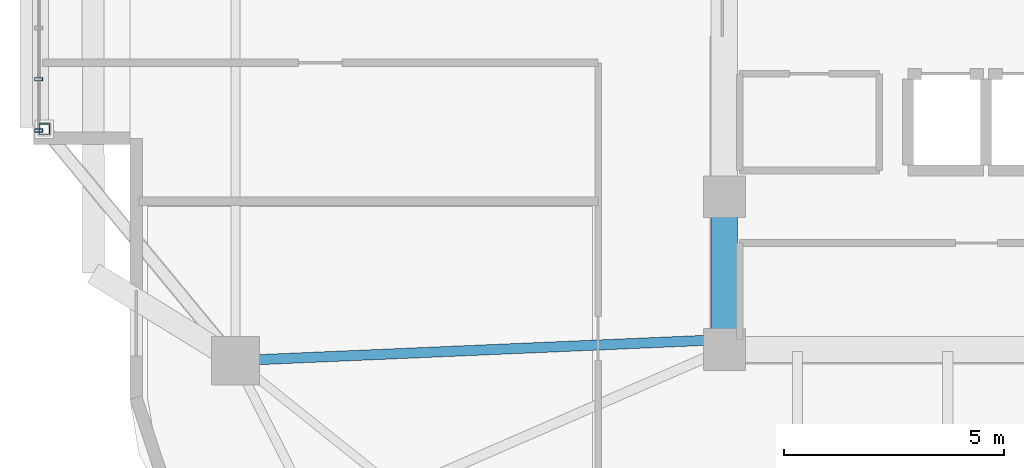
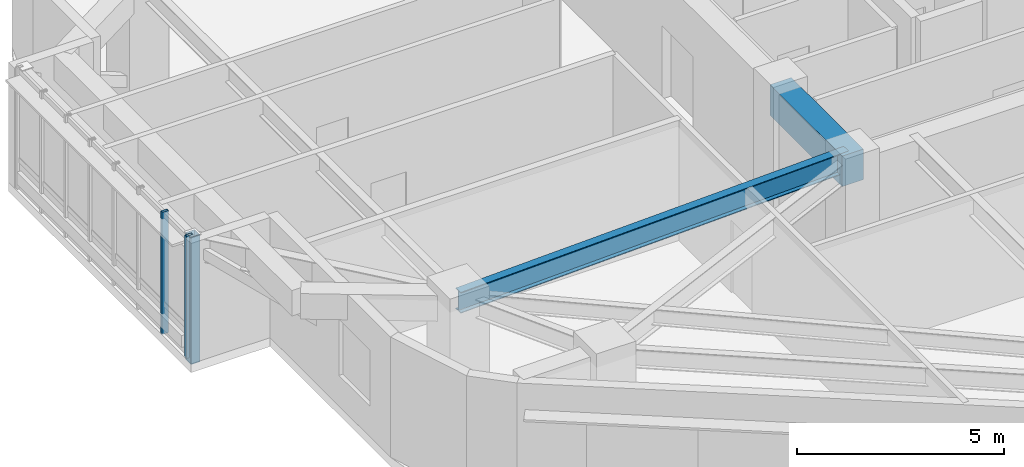
# One storey, part 2 of 14: 3 members, 2 beams, 1 element without a shape of its own.
"""IFC4 building model written with IfcOpenShell, lengths in metres."""

from ifc_helpers import new_model, si_unit, direction, frame, origin, origin_2d, place, context, subcontext, project, spatial, rectangle, hollow_rectangle, i_section, extrude, material, material_profile, profile_set, type_object, element, aggregate, save


model = new_model("IFC4")

# Units and contexts
model_context = context("Model", 3, precision=1e-05, world=origin(), true_north=direction((0.0, 1.0)))
body_context = subcontext(model_context, "Body", "Model", "MODEL_VIEW")
ifc_project = project(units=[si_unit("LENGTHUNIT", "METRE"), si_unit("AREAUNIT", "SQUARE_METRE"), si_unit("VOLUMEUNIT", "CUBIC_METRE"), si_unit("PLANEANGLEUNIT", "RADIAN"), si_unit("MASSUNIT", "GRAM", prefix="KILO")], contexts=[model_context])

# Site, building, storey
site_placement = place(None, origin())
site = spatial("IfcSite", under=ifc_project, at=site_placement, CompositionType="ELEMENT")
building_placement = place(site_placement, origin())
building = spatial("IfcBuilding", under=site, at=building_placement, Name="Zulverin Broadcast Headquarters", CompositionType="ELEMENT")
storey_placement = place(building_placement, frame((0.0, 0.0, 128.800048828125)))
storey = spatial("IfcBuildingStorey", under=building, at=storey_placement, Name="L32", CompositionType="ELEMENT", Elevation=128.800048828125)

# Beams
ifc_material_1 = material(Name="Concrete C60/75", Category="concrete")
ifc_material_profile_1 = material_profile(ifc_material_1, rectangle(XDim=0.60009765625, YDim=0.89990234375, at=origin_2d()), Name="Concrete C60/75", Category="concrete")
ifc_profile_set_1 = profile_set([ifc_material_profile_1], Name="Concrete C60/75")
beam_type_1 = type_object("IfcBeamType", Name="BM-CB-600x900", PredefinedType="LINTEL", material=ifc_profile_set_1)
beam_1_placement = place(storey_placement, frame((25.72509765625, 20.800048828125, 3.08984375), z_axis=(0.0, -1.0, 0.0), x_axis=(1.0, 0.0, 0.0)))
element("IfcBeam", 1, at=beam_1_placement, inside=storey, type_object=beam_type_1, Name="L32 Core Coupling Girder K08-K01", PredefinedType="LINTEL", context=body_context, shape_type="SweptSolid", body=[
    extrude(rectangle(XDim=0.60009765625, YDim=0.89990234375, at=origin_2d()), origin(), (0.0, 0.0, 1.0), 3.47509765625),
])
ifc_material_2 = material(Name="Structural steel S355JR", Category="steel")
ifc_material_profile_2 = material_profile(ifc_material_2, i_section(OverallWidth=0.230224609375, OverallDepth=0.6171875, WebThickness=0.01318359375, FlangeThickness=0.022216796875, at=origin_2d()), Name="Structural steel S355JR", Category="steel")
ifc_profile_set_2 = profile_set([ifc_material_profile_2], Name="Structural steel S355JR")
beam_type_2 = type_object("IfcBeamType", Name="BM-UB-610", PredefinedType="BEAM", material=ifc_profile_set_2)
beam_2_placement = place(storey_placement, frame((25.675048828125, 17.550048828125, 3.2314453125), z_axis=(-0.999069780306, -0.043122779134, 0.0), x_axis=(0.043122779134, -0.999069780306, 0.0)))
element("IfcBeam", 2, at=beam_2_placement, inside=storey, type_object=beam_type_2, Name="L32 Radial Primary Floor Beam RB-14", PredefinedType="BEAM", context=body_context, shape_type="SweptSolid", body=[
    extrude(i_section(OverallWidth=0.230224609375, OverallDepth=0.6171875, WebThickness=0.01318359375, FlangeThickness=0.022216796875, at=origin_2d()), origin(), (0.0, 0.0, 1.0), 11.085205078125),
])

# Curtain wall, members
ifc_material_3 = material(Name="Acoustic triple-glazed studio box curtain wall", Category="aluminium")
curtain_wall_type = type_object("IfcCurtainWallType", Name="CW-SBOX", PredefinedType="USERDEFINED", material=ifc_material_3)
curtain_wall_placement = place(storey_placement, origin())
curtain_wall = element("IfcCurtainWall", 3, at=curtain_wall_placement, inside=storey, type_object=curtain_wall_type, Name="L32 Unitised Curtain Wall CW-L32-SBOX_SKY1_W-F", ObjectType="UNITISED CURTAIN WALL", PredefinedType="USERDEFINED")
ifc_material_4 = material(Name="Anodized pale-metal aluminium alloy 6063-T6", Category="aluminium")
ifc_material_profile_3 = material_profile(ifc_material_4, hollow_rectangle(XDim=0.074951171875, YDim=0.179931640625, WallThickness=0.0048828125, at=origin_2d()), Name="Anodized pale-metal aluminium alloy 6063-T6", Category="aluminium")
ifc_profile_set_3 = profile_set([ifc_material_profile_3], Name="Anodized pale-metal aluminium alloy 6063-T6")
member_type_1 = type_object("IfcMemberType", Name="CW-MUL-180", PredefinedType="MULLION", material=ifc_profile_set_3)
member_1_placement = place(storey_placement, frame((10.1201171875, 23.4755859375, -0.030029296875), z_axis=(0.0, 0.0, 1.0), x_axis=(0.0, -1.0, 0.0)))
member_1 = element("IfcMember", 4, at=member_1_placement, type_object=member_type_1, Name="CW-L32-SBOX_SKY1_W-F Mullion 06", PredefinedType="MULLION", context=body_context, shape_type="SweptSolid", body=[
    extrude(hollow_rectangle(XDim=0.074951171875, YDim=0.179931640625, WallThickness=0.0048828125, at=origin_2d()), origin(), (0.0, 0.0, 1.0), 3.60009765625),
])
member_2_placement = place(storey_placement, frame((10.1201171875, 22.31005859375, -0.030029296875), z_axis=(0.0, 0.0, 1.0), x_axis=(0.0, -1.0, 0.0)))
member_2 = element("IfcMember", 5, at=member_2_placement, type_object=member_type_1, Name="CW-L32-SBOX_SKY1_W-F Mullion 07", PredefinedType="MULLION", context=body_context, shape_type="SweptSolid", body=[
    extrude(hollow_rectangle(XDim=0.074951171875, YDim=0.179931640625, WallThickness=0.0048828125, at=origin_2d()), origin(), (0.0, 0.0, 1.0), 3.60009765625),
])
aggregate(curtain_wall, [member_1, member_2])

# Member
ifc_material_profile_4 = material_profile(ifc_material_2, hollow_rectangle(XDim=0.25, YDim=0.25, WallThickness=0.01611328125, at=origin_2d()), Name="Structural steel S355JR", Category="steel")
ifc_profile_set_4 = profile_set([ifc_material_profile_4], Name="Structural steel S355JR")
member_type_2 = type_object("IfcMemberType", Name="MBR-BLT-POST", PredefinedType="POST", material=ifc_profile_set_4)
member_3_placement = place(storey_placement, frame((10.25, 22.340087890625, -0.2099609375), z_axis=(0.0, 0.0, 1.0), x_axis=(1.0, 0.0, 0.0)))
element("IfcMember", 6, at=member_3_placement, inside=storey, type_object=member_type_2, Name="L32 Shifted Studio Box Frame Post SBOX_SKY1_W-1", PredefinedType="POST", context=body_context, shape_type="SweptSolid", body=[
    extrude(hollow_rectangle(XDim=0.25, YDim=0.25, WallThickness=0.01611328125, at=origin_2d()), origin(), (0.0, 0.0, 1.0), 3.75),
])

save(model, "model.ifc")
